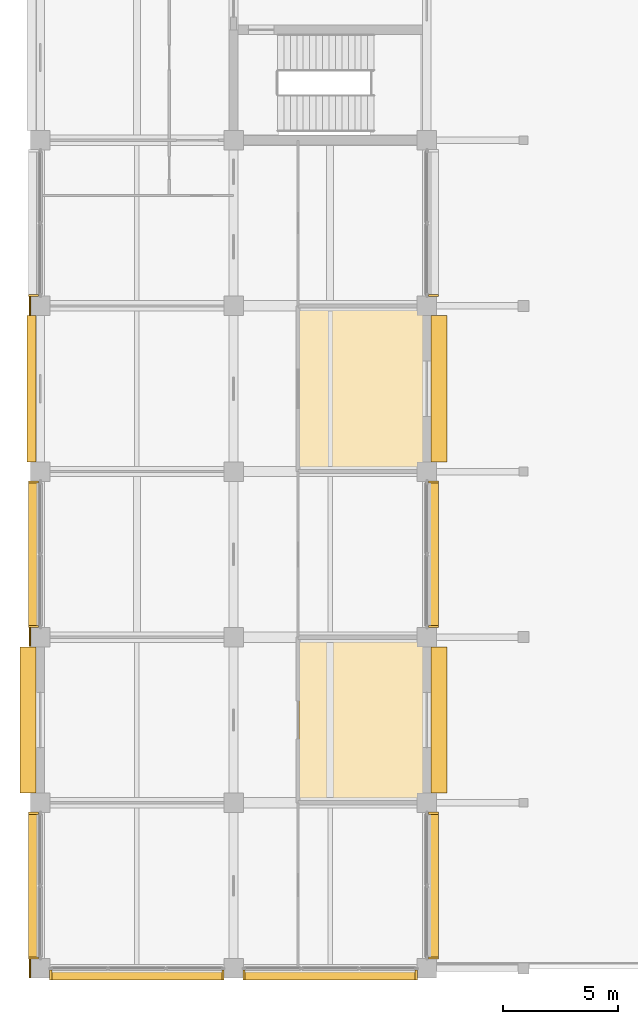
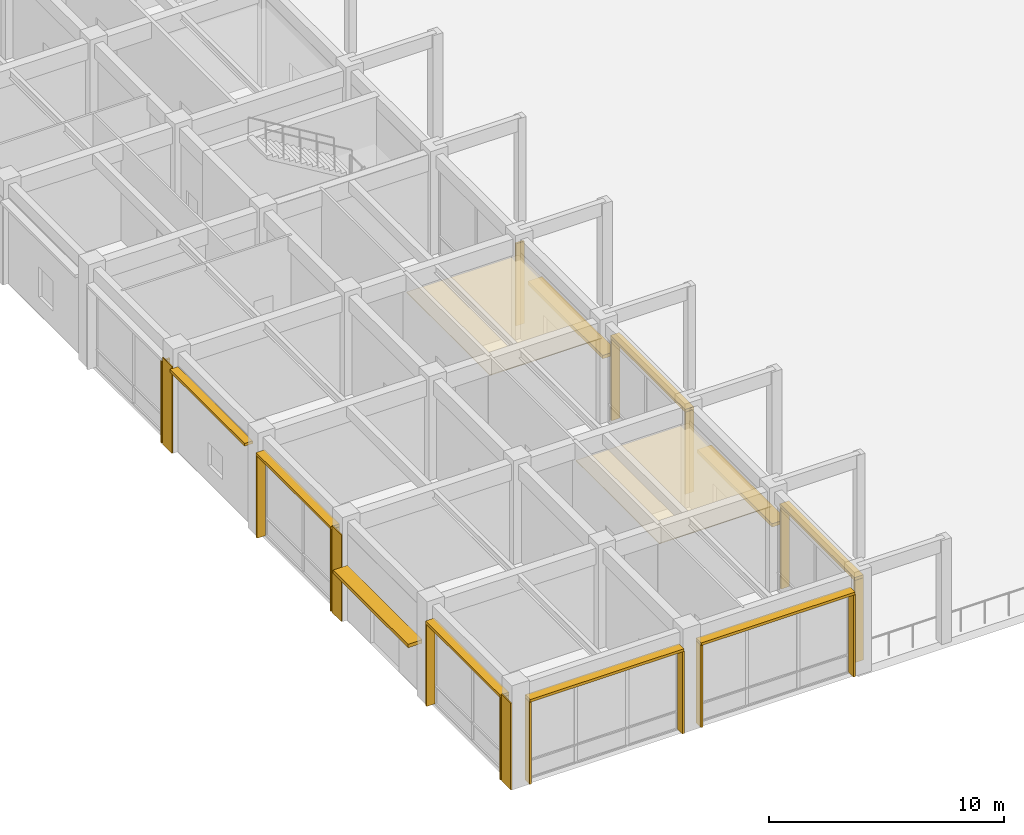
# One storey, part 62 of 73: 24 shading devices, 5 coverings.
"""IFC4 building model written with IfcOpenShell, lengths in metres."""

from ifc_helpers import new_model, si_unit, direction, frame, origin, origin_2d, place, context, subcontext, project, spatial, polyline, rectangle, outline, extrude, material, layer, layer_set, type_object, element, save


model = new_model("IFC4")

# Units and contexts
model_context = context("Model", 3, precision=1e-05, world=origin(), true_north=direction((0.0, 1.0)))
body_context = subcontext(model_context, "Body", "Model", "MODEL_VIEW")
ifc_project = project(units=[si_unit("LENGTHUNIT", "METRE"), si_unit("AREAUNIT", "SQUARE_METRE"), si_unit("VOLUMEUNIT", "CUBIC_METRE"), si_unit("PLANEANGLEUNIT", "RADIAN"), si_unit("MASSUNIT", "GRAM", prefix="KILO")], contexts=[model_context])

# Site, building, storey
site_placement = place(None, origin())
site = spatial("IfcSite", under=ifc_project, at=site_placement, CompositionType="ELEMENT")
building_placement = place(site_placement, origin())
building = spatial("IfcBuilding", under=site, at=building_placement, Name="Chengyuan Square Courthouse", CompositionType="ELEMENT")
storey_placement = place(building_placement, origin())
storey = spatial("IfcBuildingStorey", under=building, at=storey_placement, Name="L01", CompositionType="ELEMENT", Elevation=0.0)

# Coverings
ifc_material_1 = material(Name="Flamed Liaoning Granite Column Cladding", Category="masonry")
ifc_layer_1 = layer(ifc_material_1, 0.050048828125)
ifc_layer_set_1 = layer_set([ifc_layer_1], Name="Flamed Liaoning Granite Column Cladding")
covering_type_1 = type_object("IfcCoveringType", Name="CLD-01", PredefinedType="CLADDING", material=ifc_layer_set_1)
for number, where, z_axis, x_axis, name in (
    (1, (-0.445068359375, 0.0, 0.0), (0.0, 0.0, 1.0), (1.0, 0.0, 0.0), "Granite Column Cladding CLD-L01-01"),
    (2, (-0.445068359375, 14.39990234375, 0.0), (0.0, 0.0, 1.0), (1.0, 0.0, 0.0), "Granite Column Cladding CLD-L01-02"),
    (3, (-0.445068359375, 28.800048828125, 0.0), (0.0, 0.0, 1.0), (1.0, 0.0, 0.0), "Granite Column Cladding CLD-L01-03"),
):
    element("IfcCovering", number, at=place(storey_placement, frame(where, z_axis=z_axis, x_axis=x_axis)), inside=storey, type_object=covering_type_1, Name=name, PredefinedType="CLADDING", context=body_context, shape_type="SweptSolid", body=[
        extrude(rectangle(XDim=0.050048828125, YDim=0.800048828125, at=origin_2d()), origin(), (0.0, 0.0, 1.0), 4.5),
    ])
ifc_material_2 = material(Name="Perforated Larch Glulam Acoustic Slat Ceiling", Category="wood")
ifc_layer_2 = layer(ifc_material_2, 0.044921875)
ifc_layer_set_2 = layer_set([ifc_layer_2], Name="Perforated Larch Glulam Acoustic Slat Ceiling")
covering_type_2 = type_object("IfcCoveringType", Name="CLG-01", PredefinedType="CEILING", material=ifc_layer_set_2)
covering_1_placement = place(storey_placement, frame((0.0, 0.0, 4.02001953125)))
element("IfcCovering", 4, at=covering_1_placement, inside=storey, type_object=covering_type_2, Name="Acoustic Timber Slat Ceiling CLG-L01-WIR-W01", PredefinedType="CEILING", context=body_context, shape_type="SweptSolid", body=[
    extrude(outline(polyline([(11.25, 7.25), (16.75, 7.25), (16.75, 14.35009765625), (11.25, 14.35009765625), (11.25, 7.25)])), origin(), (0.0, 0.0, 1.0), 0.044921875),
])
covering_2_placement = place(storey_placement, frame((0.0, 0.0, 4.02001953125)))
element("IfcCovering", 5, at=covering_2_placement, inside=storey, type_object=covering_type_2, Name="Acoustic Timber Slat Ceiling CLG-L01-WIR-W03", PredefinedType="CEILING", context=body_context, shape_type="SweptSolid", body=[
    extrude(outline(polyline([(11.25, 21.64990234375), (16.75, 21.64990234375), (16.75, 28.75), (11.25, 28.75), (11.25, 21.64990234375)])), origin(), (0.0, 0.0, 1.0), 0.044921875),
])

# Shading devices
ifc_material_3 = material(Name="Glulam TCt28 Solar Shading Fin", Category="wood")
shading_device_type_1 = type_object("IfcShadingDeviceType", Name="SHD-01", PredefinedType="JALOUSIE", material=ifc_material_3)
for number, where, z_axis, x_axis, name in (
    (6, (0.455078125, -0.281982421875, 0.0400390625), (0.0, 0.0, 1.0), (0.0, 1.0, 0.0), "Glulam Solar Fin SHD-L01-0001"),
    (7, (7.945068359375, -0.281982421875, 0.0400390625), (0.0, 0.0, 1.0), (0.0, 1.0, 0.0), "Glulam Solar Fin SHD-L01-0002"),
    (8, (-0.2919921875, 0.45751953125, 0.0400390625), (0.0, 0.0, 1.0), (1.0, 0.0, 0.0), "Glulam Solar Fin SHD-L01-0004"),
    (9, (-0.2919921875, 6.742431640625, 0.0400390625), (0.0, 0.0, 1.0), (1.0, 0.0, 0.0), "Glulam Solar Fin SHD-L01-0005"),
    (10, (-0.2919921875, 14.857421875, 0.0400390625), (0.0, 0.0, 1.0), (1.0, 0.0, 0.0), "Glulam Solar Fin SHD-L01-0008"),
    (11, (-0.2919921875, 21.142578125, 0.0400390625), (0.0, 0.0, 1.0), (1.0, 0.0, 0.0), "Glulam Solar Fin SHD-L01-0009"),
    (12, (-0.2919921875, 29.257568359375, 0.0400390625), (0.0, 0.0, 1.0), (1.0, 0.0, 0.0), "Glulam Solar Fin SHD-L01-0012"),
    (13, (8.85498046875, -0.281982421875, 0.0400390625), (0.0, 0.0, 1.0), (0.0, 1.0, 0.0), "Glulam Solar Fin SHD-L01-0033"),
    (14, (16.344970703125, -0.281982421875, 0.0400390625), (0.0, 0.0, 1.0), (0.0, 1.0, 0.0), "Glulam Solar Fin SHD-L01-0034"),
    (15, (17.092041015625, 0.45751953125, 0.0400390625), (0.0, 0.0, 1.0), (1.0, 0.0, 0.0), "Glulam Solar Fin SHD-L01-0036"),
    (16, (17.092041015625, 6.742431640625, 0.0400390625), (0.0, 0.0, 1.0), (1.0, 0.0, 0.0), "Glulam Solar Fin SHD-L01-0037"),
    (17, (17.092041015625, 14.857421875, 0.0400390625), (0.0, 0.0, 1.0), (1.0, 0.0, 0.0), "Glulam Solar Fin SHD-L01-0040"),
    (18, (17.092041015625, 21.142578125, 0.0400390625), (0.0, 0.0, 1.0), (1.0, 0.0, 0.0), "Glulam Solar Fin SHD-L01-0041"),
    (19, (17.092041015625, 29.257568359375, 0.0400390625), (0.0, 0.0, 1.0), (1.0, 0.0, 0.0), "Glulam Solar Fin SHD-L01-0044"),
):
    element("IfcShadingDevice", number, at=place(storey_placement, frame(where, z_axis=z_axis, x_axis=x_axis)), inside=storey, type_object=shading_device_type_1, Name=name, PredefinedType="JALOUSIE", context=body_context, shape_type="SweptSolid", body=[
        extrude(rectangle(XDim=0.419921875, YDim=0.094970703125, at=origin_2d()), origin(), (0.0, 0.0, 1.0), 4.260009765625),
    ])
ifc_material_4 = material(Name="Glulam TCt28 Sunshade Louvre", Category="wood")
shading_device_type_2 = type_object("IfcShadingDeviceType", Name="SHD-02", PredefinedType="AWNING", material=ifc_material_4)
shading_device_1_placement = place(storey_placement, frame((4.199951171875, -0.281982421875, 4.30029296875), z_axis=(0.0, 0.0, 1.0), x_axis=(1.0, 0.0, 0.0)))
element("IfcShadingDevice", 20, at=shading_device_1_placement, inside=storey, type_object=shading_device_type_2, Name="Glulam Sunshade Louvre SHD-L01-0003", PredefinedType="AWNING", context=body_context, shape_type="SweptSolid", body=[
    extrude(rectangle(XDim=7.550048828125, YDim=0.43994140625, at=origin_2d()), origin(), (0.0, 0.0, 1.0), 0.139892578125),
])
for number, where, z_axis, x_axis, name in (
    (21, (-0.2919921875, 3.60009765625, 4.30029296875), (0.0, 0.0, 1.0), (0.0, 1.0, 0.0), "Glulam Sunshade Louvre SHD-L01-0006"),
    (22, (-0.2919921875, 18.0, 4.30029296875), (0.0, 0.0, 1.0), (0.0, 1.0, 0.0), "Glulam Sunshade Louvre SHD-L01-0010"),
):
    element("IfcShadingDevice", number, at=place(storey_placement, frame(where, z_axis=z_axis, x_axis=x_axis)), inside=storey, type_object=shading_device_type_2, Name=name, PredefinedType="AWNING", context=body_context, shape_type="SweptSolid", body=[
        extrude(rectangle(XDim=6.35009765625, YDim=0.43994140625, at=origin_2d()), origin(), (0.0, 0.0, 1.0), 0.139892578125),
    ])
shading_device_2_placement = place(storey_placement, frame((12.60009765625, -0.281982421875, 4.30029296875), z_axis=(0.0, 0.0, 1.0), x_axis=(1.0, 0.0, 0.0)))
element("IfcShadingDevice", 23, at=shading_device_2_placement, inside=storey, type_object=shading_device_type_2, Name="Glulam Sunshade Louvre SHD-L01-0035", PredefinedType="AWNING", context=body_context, shape_type="SweptSolid", body=[
    extrude(rectangle(XDim=7.550048828125, YDim=0.43994140625, at=origin_2d()), origin(), (0.0, 0.0, 1.0), 0.139892578125),
])
for number, where, z_axis, x_axis, name in (
    (24, (17.092041015625, 3.60009765625, 4.30029296875), (0.0, 0.0, 1.0), (0.0, 1.0, 0.0), "Glulam Sunshade Louvre SHD-L01-0038"),
    (25, (17.092041015625, 18.0, 4.30029296875), (0.0, 0.0, 1.0), (0.0, 1.0, 0.0), "Glulam Sunshade Louvre SHD-L01-0042"),
):
    element("IfcShadingDevice", number, at=place(storey_placement, frame(where, z_axis=z_axis, x_axis=x_axis)), inside=storey, type_object=shading_device_type_2, Name=name, PredefinedType="AWNING", context=body_context, shape_type="SweptSolid", body=[
        extrude(rectangle(XDim=6.35009765625, YDim=0.43994140625, at=origin_2d()), origin(), (0.0, 0.0, 1.0), 0.139892578125),
    ])
ifc_material_5 = material(Name="Glulam TCt28 Facade Sunshade", Category="wood")
shading_device_type_3 = type_object("IfcShadingDeviceType", Name="SHD-03", PredefinedType="AWNING", material=ifc_material_5)
shading_device_3_placement = place(storey_placement, frame((-0.382080078125, 25.199951171875, 4.2802734375), z_axis=(0.0, 0.0, 1.0), x_axis=(0.0, 1.0, 0.0)))
element("IfcShadingDevice", 26, at=shading_device_3_placement, inside=storey, type_object=shading_device_type_3, Name="Glulam Facade Sunshade SHD-L01-0011", PredefinedType="AWNING", context=body_context, shape_type="SweptSolid", body=[
    extrude(rectangle(XDim=6.360107421875, YDim=0.39990234375, at=origin_2d()), origin(), (0.0, 0.0, 1.0), 0.139892578125),
])
ifc_material_6 = material(Name="Glulam TCt28 Entrance Canopy", Category="wood")
shading_device_type_4 = type_object("IfcShadingDeviceType", Name="SHD-05", PredefinedType="AWNING", material=ifc_material_6)
for number, where, z_axis, x_axis, name in (
    (27, (-0.531982421875, 10.800048828125, 2.66015625), (0.0, 0.0, 1.0), (0.0, 1.0, 0.0), "Glulam Entrance Canopy SHD-L01-0007"),
    (28, (17.33203125, 10.800048828125, 2.66015625), (0.0, 0.0, 1.0), (0.0, 1.0, 0.0), "Glulam Entrance Canopy SHD-L01-0039"),
    (29, (17.33203125, 25.199951171875, 2.66015625), (0.0, 0.0, 1.0), (0.0, 1.0, 0.0), "Glulam Entrance Canopy SHD-L01-0043"),
):
    element("IfcShadingDevice", number, at=place(storey_placement, frame(where, z_axis=z_axis, x_axis=x_axis)), inside=storey, type_object=shading_device_type_4, Name=name, PredefinedType="AWNING", context=body_context, shape_type="SweptSolid", body=[
        extrude(rectangle(XDim=6.360107421875, YDim=0.699951171875, at=origin_2d()), origin(), (0.0, 0.0, 1.0), 0.179931640625),
    ])

save(model, "model.ifc")
